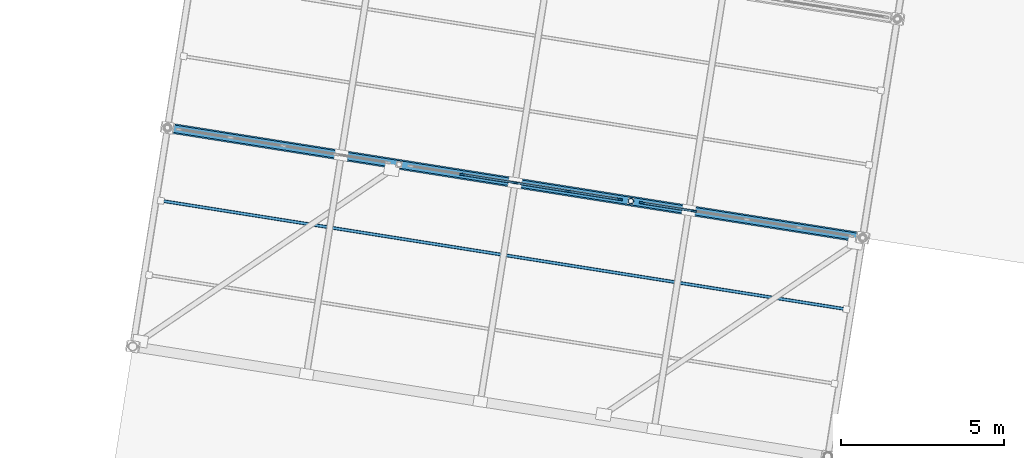
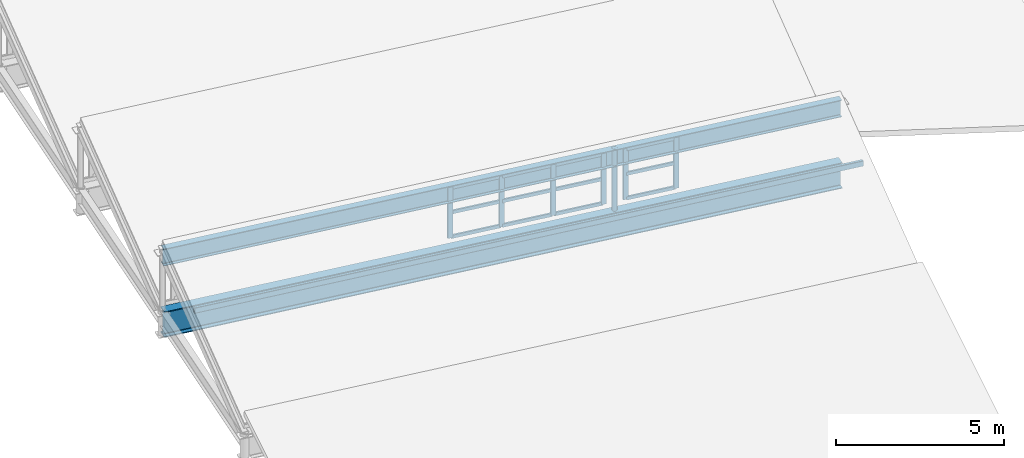
# One storey, part 35 of 65: 20 members, 2 beams, 2 elements without a shape of their own.
"""IFC4 building model written with IfcOpenShell, lengths in metres."""

from ifc_helpers import new_model, si_unit, direction, frame, origin, origin_2d, place, context, subcontext, project, spatial, rectangle, hollow_rectangle, hollow_circle, i_section, extrude, material, material_profile, profile_set, type_object, element, aggregate, save


model = new_model("IFC4")

# Units and contexts
model_context = context("Model", 3, precision=1e-05, world=origin(), true_north=direction((0.0, 1.0)))
body_context = subcontext(model_context, "Body", "Model", "MODEL_VIEW")
ifc_project = project(units=[si_unit("LENGTHUNIT", "METRE"), si_unit("AREAUNIT", "SQUARE_METRE"), si_unit("VOLUMEUNIT", "CUBIC_METRE"), si_unit("PLANEANGLEUNIT", "RADIAN"), si_unit("MASSUNIT", "GRAM", prefix="KILO")], contexts=[model_context])

# Site, building, storey
site_placement = place(None, origin())
site = spatial("IfcSite", under=ifc_project, at=site_placement, CompositionType="ELEMENT")
building_placement = place(site_placement, origin())
building = spatial("IfcBuilding", under=site, at=building_placement, Name="Cinderway Yard Community Centre", CompositionType="ELEMENT")
storey_placement = place(building_placement, frame((0.0, 0.0, 24.300048828125)))
storey = spatial("IfcBuildingStorey", under=building, at=storey_placement, Name="RF", CompositionType="ELEMENT", Elevation=24.300048828125)

# Curtain wall, members
ifc_material_1 = material(Name="Aluminium 6063-T6", Category="aluminium")
curtain_wall_type = type_object("IfcCurtainWallType", Name="ENV-CW-TYPE-23", PredefinedType="USERDEFINED", material=ifc_material_1)
curtain_wall_1_placement = place(storey_placement, origin())
curtain_wall_1 = element("IfcCurtainWall", 1, at=curtain_wall_1_placement, inside=storey, type_object=curtain_wall_type, Name="Sawtooth North-Light Clerestory ENV-CW-RF-ST-0073", ObjectType="GLAZED CURTAIN WALL", PredefinedType="USERDEFINED")
ifc_material_profile_1 = material_profile(ifc_material_1, rectangle(XDim=0.06005859375, YDim=0.159912109375, at=origin_2d()), Name="Aluminium 6063-T6")
ifc_profile_set_1 = profile_set([ifc_material_profile_1], Name="Aluminium 6063-T6")
member_type_1 = type_object("IfcMemberType", Name="ENV-CW-MULL-150", PredefinedType="MULLION", material=ifc_profile_set_1)
member_1_placement = place(storey_placement, frame((128.11083984375, 43.283447265625, -10.199951171875), z_axis=(0.0, 0.0, 1.0), x_axis=(0.15640876877, 0.987692410142, 0.0)))
member_1 = element("IfcMember", 2, at=member_1_placement, type_object=member_type_1, Name="CW-23 mullion 2", PredefinedType="MULLION", context=body_context, shape_type="SweptSolid", body=[
    extrude(rectangle(XDim=0.06005859375, YDim=0.159912109375, at=origin_2d()), origin(), (0.0, 0.0, 1.0), 1.849853515625),
])
member_2_placement = place(storey_placement, frame((129.73046875, 43.027099609375, -10.199951171875), z_axis=(0.0, 0.0, 1.0), x_axis=(0.15640876877, 0.987692410142, 0.0)))
member_2 = element("IfcMember", 3, at=member_2_placement, type_object=member_type_1, Name="CW-23 mullion 3", PredefinedType="MULLION", context=body_context, shape_type="SweptSolid", body=[
    extrude(rectangle(XDim=0.06005859375, YDim=0.159912109375, at=origin_2d()), origin(), (0.0, 0.0, 1.0), 1.849853515625),
])
member_3_placement = place(storey_placement, frame((131.350341796875, 42.7705078125, -10.199951171875), z_axis=(0.0, 0.0, 1.0), x_axis=(0.15640876877, 0.987692410142, 0.0)))
member_3 = element("IfcMember", 4, at=member_3_placement, type_object=member_type_1, Name="CW-23 mullion 4", PredefinedType="MULLION", context=body_context, shape_type="SweptSolid", body=[
    extrude(rectangle(XDim=0.06005859375, YDim=0.159912109375, at=origin_2d()), origin(), (0.0, 0.0, 1.0), 1.849853515625),
])
member_4_placement = place(storey_placement, frame((132.9404296875, 42.518798828125, -10.199951171875), z_axis=(0.0, 0.0, 1.0), x_axis=(0.15640876877, 0.987692410142, 0.0)))
member_4 = element("IfcMember", 5, at=member_4_placement, type_object=member_type_1, Name="CW-23 mullion 5", PredefinedType="MULLION", context=body_context, shape_type="SweptSolid", body=[
    extrude(rectangle(XDim=0.06005859375, YDim=0.159912109375, at=origin_2d()), origin(), (0.0, 0.0, 1.0), 1.849853515625),
])

curtain_wall_2_placement = place(storey_placement, origin())
curtain_wall_2 = element("IfcCurtainWall", 6, at=curtain_wall_2_placement, inside=storey, type_object=curtain_wall_type, Name="Sawtooth North-Light Clerestory ENV-CW-RF-ST-0074", ObjectType="GLAZED CURTAIN WALL", PredefinedType="USERDEFINED")
member_5_placement = place(storey_placement, frame((133.631591796875, 42.409423828125, -10.199951171875), z_axis=(0.0, 0.0, 1.0), x_axis=(0.156533911189, 0.98767258474, 0.0)))
member_5 = element("IfcMember", 7, at=member_5_placement, type_object=member_type_1, Name="CW-23 mullion 1", PredefinedType="MULLION", context=body_context, shape_type="SweptSolid", body=[
    extrude(rectangle(XDim=0.06005859375, YDim=0.159912109375, at=origin_2d()), origin(), (0.0, 0.0, 1.0), 1.849853515625),
])
member_6_placement = place(storey_placement, frame((135.221923828125, 42.1572265625, -10.199951171875), z_axis=(0.0, 0.0, 1.0), x_axis=(0.156533911189, 0.98767258474, 0.0)))
member_6 = element("IfcMember", 8, at=member_6_placement, type_object=member_type_1, Name="CW-23 mullion 2", PredefinedType="MULLION", context=body_context, shape_type="SweptSolid", body=[
    extrude(rectangle(XDim=0.06005859375, YDim=0.159912109375, at=origin_2d()), origin(), (0.0, 0.0, 1.0), 1.849853515625),
])

# Member
ifc_material_profile_2 = material_profile(ifc_material_1, rectangle(XDim=0.06005859375, YDim=0.1201171875, at=origin_2d()), Name="Aluminium 6063-T6")
ifc_profile_set_2 = profile_set([ifc_material_profile_2], Name="Aluminium 6063-T6")
member_type_2 = type_object("IfcMemberType", Name="ENV-CW-TRAN-110", PredefinedType="USERDEFINED", material=ifc_profile_set_2)
member_7_placement = place(storey_placement, frame((128.140380859375, 43.27880859375, -10.170166015625), z_axis=(0.987697729788, -0.156375172488, 0.0), x_axis=(0.156375172488, 0.987697729788, 0.0)))
member_7 = element("IfcMember", 9, at=member_7_placement, type_object=member_type_2, Name="CW-23 transom 2.1", ObjectType="TRANSOM", PredefinedType="USERDEFINED", context=body_context, shape_type="SweptSolid", body=[
    extrude(rectangle(XDim=0.06005859375, YDim=0.1201171875, at=origin_2d()), origin(), (0.0, 0.0, 1.0), 1.580078125),
])

member_8_placement = place(storey_placement, frame((128.140380859375, 43.27880859375, -9.280029296875), z_axis=(0.987697729788, -0.156375172488, 0.0), x_axis=(0.156375172488, 0.987697729788, 0.0)))
member_8 = element("IfcMember", 10, at=member_8_placement, type_object=member_type_2, Name="CW-23 transom 2.2", ObjectType="TRANSOM", PredefinedType="USERDEFINED", context=body_context, shape_type="SweptSolid", body=[
    extrude(rectangle(XDim=0.06005859375, YDim=0.1201171875, at=origin_2d()), origin(), (0.0, 0.0, 1.0), 1.580078125),
])

member_9_placement = place(storey_placement, frame((128.140380859375, 43.27880859375, -8.380126953125), z_axis=(0.987697729788, -0.156375172488, 0.0), x_axis=(0.156375172488, 0.987697729788, 0.0)))
member_9 = element("IfcMember", 11, at=member_9_placement, type_object=member_type_2, Name="CW-23 transom 2.3", ObjectType="TRANSOM", PredefinedType="USERDEFINED", context=body_context, shape_type="SweptSolid", body=[
    extrude(rectangle(XDim=0.06005859375, YDim=0.1201171875, at=origin_2d()), origin(), (0.0, 0.0, 1.0), 1.580078125),
])

member_10_placement = place(storey_placement, frame((129.760009765625, 43.022216796875, -10.170166015625), z_axis=(0.987697729788, -0.156375172488, 0.0), x_axis=(0.156375172488, 0.987697729788, 0.0)))
member_10 = element("IfcMember", 12, at=member_10_placement, type_object=member_type_2, Name="CW-23 transom 3.1", ObjectType="TRANSOM", PredefinedType="USERDEFINED", context=body_context, shape_type="SweptSolid", body=[
    extrude(rectangle(XDim=0.06005859375, YDim=0.1201171875, at=origin_2d()), origin(), (0.0, 0.0, 1.0), 1.580078125),
])

member_11_placement = place(storey_placement, frame((129.760009765625, 43.022216796875, -9.280029296875), z_axis=(0.987697729788, -0.156375172488, 0.0), x_axis=(0.156375172488, 0.987697729788, 0.0)))
member_11 = element("IfcMember", 13, at=member_11_placement, type_object=member_type_2, Name="CW-23 transom 3.2", ObjectType="TRANSOM", PredefinedType="USERDEFINED", context=body_context, shape_type="SweptSolid", body=[
    extrude(rectangle(XDim=0.06005859375, YDim=0.1201171875, at=origin_2d()), origin(), (0.0, 0.0, 1.0), 1.580078125),
])

member_12_placement = place(storey_placement, frame((129.760009765625, 43.022216796875, -8.380126953125), z_axis=(0.987697729788, -0.156375172488, 0.0), x_axis=(0.156375172488, 0.987697729788, 0.0)))
member_12 = element("IfcMember", 14, at=member_12_placement, type_object=member_type_2, Name="CW-23 transom 3.3", ObjectType="TRANSOM", PredefinedType="USERDEFINED", context=body_context, shape_type="SweptSolid", body=[
    extrude(rectangle(XDim=0.06005859375, YDim=0.1201171875, at=origin_2d()), origin(), (0.0, 0.0, 1.0), 1.580078125),
])

member_13_placement = place(storey_placement, frame((131.3798828125, 42.765869140625, -10.170166015625), z_axis=(0.987690055006, -0.15642364029, 0.0), x_axis=(0.15642364029, 0.987690055006, 0.0)))
member_13 = element("IfcMember", 15, at=member_13_placement, type_object=member_type_2, Name="CW-23 transom 4.1", ObjectType="TRANSOM", PredefinedType="USERDEFINED", context=body_context, shape_type="SweptSolid", body=[
    extrude(rectangle(XDim=0.06005859375, YDim=0.1201171875, at=origin_2d()), origin(), (0.0, 0.0, 1.0), 1.5498046875),
])

member_14_placement = place(storey_placement, frame((131.3798828125, 42.765869140625, -9.280029296875), z_axis=(0.987690055006, -0.15642364029, 0.0), x_axis=(0.15642364029, 0.987690055006, 0.0)))
member_14 = element("IfcMember", 16, at=member_14_placement, type_object=member_type_2, Name="CW-23 transom 4.2", ObjectType="TRANSOM", PredefinedType="USERDEFINED", context=body_context, shape_type="SweptSolid", body=[
    extrude(rectangle(XDim=0.06005859375, YDim=0.1201171875, at=origin_2d()), origin(), (0.0, 0.0, 1.0), 1.5498046875),
])

member_15_placement = place(storey_placement, frame((131.3798828125, 42.765869140625, -8.380126953125), z_axis=(0.987690055006, -0.15642364029, 0.0), x_axis=(0.15642364029, 0.987690055006, 0.0)))
member_15 = element("IfcMember", 17, at=member_15_placement, type_object=member_type_2, Name="CW-23 transom 4.3", ObjectType="TRANSOM", PredefinedType="USERDEFINED", context=body_context, shape_type="SweptSolid", body=[
    extrude(rectangle(XDim=0.06005859375, YDim=0.1201171875, at=origin_2d()), origin(), (0.0, 0.0, 1.0), 1.5498046875),
])

aggregate(curtain_wall_1, [member_1, member_2, member_3, member_4, member_7, member_8, member_9, member_10, member_11, member_12, member_13, member_14, member_15])

member_16_placement = place(storey_placement, frame((133.661376953125, 42.404541015625, -10.170166015625), z_axis=(0.987669567129, -0.156552950044, 0.0), x_axis=(0.156552950044, 0.987669567129, 0.0)))
member_16 = element("IfcMember", 18, at=member_16_placement, type_object=member_type_2, Name="CW-23 transom 1.1", ObjectType="TRANSOM", PredefinedType="USERDEFINED", context=body_context, shape_type="SweptSolid", body=[
    extrude(rectangle(XDim=0.06005859375, YDim=0.1201171875, at=origin_2d()), origin(), (0.0, 0.0, 1.0), 1.550048828125),
])

member_17_placement = place(storey_placement, frame((133.661376953125, 42.404541015625, -9.280029296875), z_axis=(0.987669567129, -0.156552950044, 0.0), x_axis=(0.156552950044, 0.987669567129, 0.0)))
member_17 = element("IfcMember", 19, at=member_17_placement, type_object=member_type_2, Name="CW-23 transom 1.2", ObjectType="TRANSOM", PredefinedType="USERDEFINED", context=body_context, shape_type="SweptSolid", body=[
    extrude(rectangle(XDim=0.06005859375, YDim=0.1201171875, at=origin_2d()), origin(), (0.0, 0.0, 1.0), 1.550048828125),
])

member_18_placement = place(storey_placement, frame((133.661376953125, 42.404541015625, -8.380126953125), z_axis=(0.987669567129, -0.156552950044, 0.0), x_axis=(0.156552950044, 0.987669567129, 0.0)))
member_18 = element("IfcMember", 20, at=member_18_placement, type_object=member_type_2, Name="CW-23 transom 1.3", ObjectType="TRANSOM", PredefinedType="USERDEFINED", context=body_context, shape_type="SweptSolid", body=[
    extrude(rectangle(XDim=0.06005859375, YDim=0.1201171875, at=origin_2d()), origin(), (0.0, 0.0, 1.0), 1.550048828125),
])

aggregate(curtain_wall_2, [member_5, member_6, member_16, member_17, member_18])

# Beams
ifc_material_2 = material(Name="Steel S355", Category="steel")
ifc_material_profile_3 = material_profile(ifc_material_2, i_section(OverallWidth=0.22998046875, OverallDepth=0.616943359375, WebThickness=0.011962890625, FlangeThickness=0.01953125, FilletRadius=0.01611328125, at=origin_2d()), Name="Steel S355")
ifc_profile_set_3 = profile_set([ifc_material_profile_3], Name="Steel S355")
beam_type_1 = type_object("IfcBeamType", Name="STR-BM-W610X140", PredefinedType="BEAM", material=ifc_profile_set_3)
beam_1_placement = place(storey_placement, frame((119.06396484375, 44.716064453125, -8.55810546875), z_axis=(0.987687058599, -0.156442559028, 0.0), x_axis=(0.156442559028, 0.987687058599, 0.0)))
element("IfcBeam", 21, at=beam_1_placement, inside=storey, type_object=beam_type_1, Name="Sawtooth apex girder STR-BM-RF-SB05-1012", PredefinedType="BEAM", context=body_context, shape_type="SweptSolid", body=[
    extrude(i_section(OverallWidth=0.22998046875, OverallDepth=0.616943359375, WebThickness=0.011962890625, FlangeThickness=0.01953125, FilletRadius=0.01611328125, at=origin_2d()), origin(), (0.0, 0.0, 1.0), 21.599853515625),
])
ifc_material_profile_4 = material_profile(ifc_material_2, i_section(OverallWidth=0.30908203125, OverallDepth=0.931884765625, WebThickness=0.017333984375, FlangeThickness=0.030029296875, FilletRadius=0.02392578125, at=origin_2d()), Name="Steel S355")
ifc_profile_set_4 = profile_set([ifc_material_profile_4], Name="Steel S355")
beam_type_2 = type_object("IfcBeamType", Name="STR-BM-W920X313", PredefinedType="BEAM", material=ifc_profile_set_4)
beam_2_placement = place(storey_placement, frame((119.06396484375, 44.716064453125, -10.966064453125), z_axis=(0.987687058599, -0.156442559028, 0.0), x_axis=(0.156442559028, 0.987687058599, 0.0)))
element("IfcBeam", 22, at=beam_2_placement, inside=storey, type_object=beam_type_2, Name="Sports Hall clear-span girder 02", PredefinedType="BEAM", context=body_context, shape_type="SweptSolid", body=[
    extrude(i_section(OverallWidth=0.30908203125, OverallDepth=0.931884765625, WebThickness=0.017333984375, FlangeThickness=0.030029296875, FilletRadius=0.02392578125, at=origin_2d()), origin(), (0.0, 0.0, 1.0), 21.599853515625),
])

# Members
ifc_material_profile_5 = material_profile(ifc_material_2, hollow_rectangle(XDim=0.10009765625, YDim=0.199951171875, WallThickness=0.008056640625, InnerFilletRadius=0.008056640625, OuterFilletRadius=0.01611328125, at=origin_2d()), Name="Steel S355")
ifc_profile_set_5 = profile_set([ifc_material_profile_5], Name="Steel S355")
member_type_3 = type_object("IfcMemberType", Name="STR-MEM-PURLIN-200", PredefinedType="PURLIN", material=ifc_profile_set_5)
member_19_placement = place(storey_placement, frame((118.861083984375, 42.47607421875, -9.095947265625), z_axis=(0.98768859846, -0.156432836938, 0.0), x_axis=(0.156432836938, 0.98768859846, 0.0)))
element("IfcMember", 23, at=member_19_placement, inside=storey, type_object=member_type_3, Name="Sawtooth roof purlin B1-67", PredefinedType="PURLIN", context=body_context, shape_type="SweptSolid", body=[
    extrude(hollow_rectangle(XDim=0.10009765625, YDim=0.199951171875, WallThickness=0.008056640625, InnerFilletRadius=0.008056640625, OuterFilletRadius=0.01611328125, at=origin_2d()), origin(), (0.0, 0.0, 1.0), 21.300048828125),
])
ifc_material_profile_6 = material_profile(ifc_material_2, hollow_circle(Radius=0.084228515625, WallThickness=0.008056640625, at=origin_2d()), Name="Steel S355")
ifc_profile_set_6 = profile_set([ifc_material_profile_6], Name="Steel S355")
member_type_4 = type_object("IfcMemberType", Name="STR-MEM-STRUT-CHS168", PredefinedType="STRUT", material=ifc_profile_set_6)
member_20_placement = place(storey_placement, frame((133.285888671875, 42.464111328125, -10.5), z_axis=(0.0, 0.0, 1.0), x_axis=(1.0, 0.0, 0.0)))
element("IfcMember", 24, at=member_20_placement, inside=storey, type_object=member_type_4, Name="Sawtooth kingpost B1-144", PredefinedType="STRUT", context=body_context, shape_type="SweptSolid", body=[
    extrude(hollow_circle(Radius=0.084228515625, WallThickness=0.008056640625, at=origin_2d()), origin(), (0.0, 0.0, 1.0), 2.25),
])

save(model, "model.ifc")
